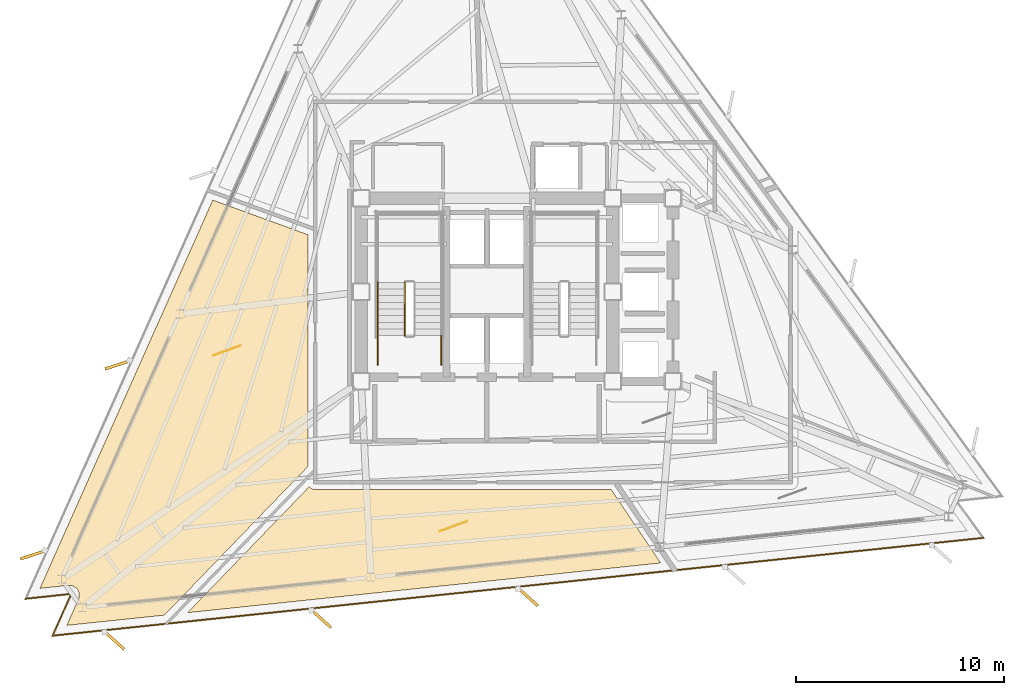
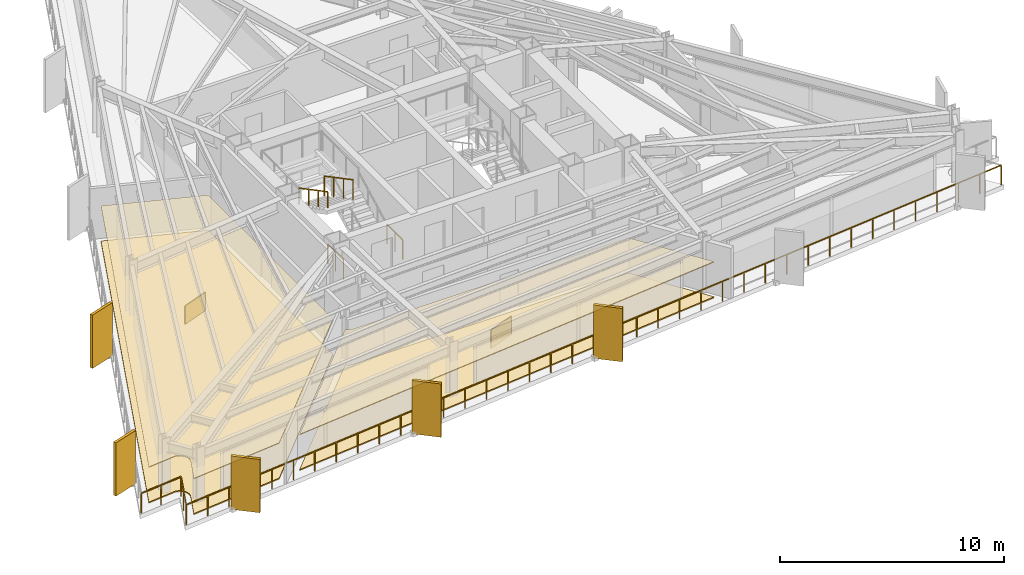
# One storey, part 10 of 13: 6 coverings, 5 railings, 5 shading devices.
"""IFC4 building model written with IfcOpenShell, lengths in metres."""

from ifc_helpers import new_model, si_unit, direction, frame, origin, origin_2d, place, context, subcontext, project, spatial, polyline, rectangle, outline, extrude, material, layer, layer_set, type_object, element, save


model = new_model("IFC4")

# Units and contexts
model_context = context("Model", 3, precision=1e-05, world=origin(), true_north=direction((0.0, 1.0)))
body_context = subcontext(model_context, "Body", "Model", "MODEL_VIEW")
ifc_project = project(units=[si_unit("LENGTHUNIT", "METRE"), si_unit("AREAUNIT", "SQUARE_METRE"), si_unit("VOLUMEUNIT", "CUBIC_METRE"), si_unit("PLANEANGLEUNIT", "RADIAN"), si_unit("MASSUNIT", "GRAM", prefix="KILO")], contexts=[model_context])

# Site, building, storey
site_placement = place(None, origin())
site = spatial("IfcSite", under=ifc_project, at=site_placement, CompositionType="ELEMENT")
building_placement = place(site_placement, origin())
building = spatial("IfcBuilding", under=site, at=building_placement, Name="Rocaltana Carrier Exchange", CompositionType="ELEMENT")
storey_placement = place(building_placement, frame((0.0, 0.0, 119.840087890625)))
storey = spatial("IfcBuildingStorey", under=building, at=storey_placement, Name="L37", CompositionType="ELEMENT", Elevation=119.840087890625)

# Coverings
ifc_material_1 = material(Name="Calcium Sulphate & Aluminium Pedestal", Category="aluminium")
ifc_layer_1 = layer(ifc_material_1, 0.06005859375)
ifc_layer_set_1 = layer_set([ifc_layer_1], Name="Calcium Sulphate & Aluminium Pedestal")
covering_type_1 = type_object("IfcCoveringType", Name="Anti-Static Raised Exchange Access Floor 60", PredefinedType="FLOORING", material=ifc_layer_set_1)
covering_1_placement = place(storey_placement, origin())
element("IfcCovering", 1, at=covering_1_placement, inside=storey, type_object=covering_type_1, Name="L37 Quiet Focus Lounge Finish Floor", PredefinedType="FLOORING", context=body_context, shape_type="SweptSolid", body=[
    extrude(outline(polyline([(-19.646240234375, -14.78759765625), (-19.640869140625, -14.774658203125), (-19.633544921875, -14.756103515625), (-19.625, -14.7294921875), (-19.61962890625, -14.71044921875), (-19.613525390625, -14.68310546875), (-19.610107421875, -14.66357421875), (-19.606689453125, -14.6357421875), (-19.60546875, -14.615966796875), (-19.60498046875, -14.587890625), (-19.60546875, -14.568115234375), (-19.607666015625, -14.540283203125), (-19.6103515625, -14.5205078125), (-19.615234375, -14.492919921875), (-19.619873046875, -14.4736328125), (-19.62744140625, -14.44677734375), (-19.6337890625, -14.427978515625), (-19.644287109375, -14.402099609375), (-19.652587890625, -14.3837890625), (-19.665283203125, -14.359130859375), (-19.675537109375, -14.341796875), (-19.690673828125, -14.318603515625), (-19.702392578125, -14.30224609375), (-19.719970703125, -14.280517578125), (-19.733154296875, -14.265625), (-19.752685546875, -14.245849609375), (-19.767578125, -14.232421875), (-19.7890625, -14.214599609375), (-19.804931640625, -14.20263671875), (-19.828125, -14.18701171875), (-19.84521484375, -14.176513671875), (-19.86962890625, -14.163330078125), (-19.8876953125, -14.15478515625), (-19.91357421875, -14.14404296875), (-19.932373046875, -14.137451171875), (-19.958984375, -14.12939453125), (-19.978271484375, -14.12451171875), (-20.005615234375, -14.119140625), (-20.025390625, -14.1162109375), (-20.05322265625, -14.113525390625), (-20.072998046875, -14.11279296875), (-20.10107421875, -14.11279296875), (-20.12109375, -14.114013671875), (-20.135009765625, -14.114990234375), (-21.49609375, -14.258056640625), (-13.182373046875, 4.414794921875), (-8.610107421875, 2.750732421875), (-8.610107421875, -8.397705078125), (-15.511962890625, -15.544921875), (-20.202880859375, -16.037841796875), (-19.646240234375, -14.78759765625)])), origin(), (0.0, 0.0, 1.0), 0.059814453125),
])
covering_2_placement = place(storey_placement, origin())
element("IfcCovering", 2, at=covering_2_placement, inside=storey, type_object=covering_type_1, Name="L37 Quiet Focus Lounge Finish Floor", PredefinedType="FLOORING", context=body_context, shape_type="SweptSolid", body=[
    extrude(outline(polyline([(-14.39794921875, -15.427734375), (-8.54052734375, -9.3623046875), (-8.53662109375, -9.367431640625), (-8.519287109375, -9.388916015625), (-8.513916015625, -9.39453125), (-8.49462890625, -9.4140625), (-8.48876953125, -9.419189453125), (-8.467529296875, -9.436767578125), (-8.461181640625, -9.44140625), (-8.4384765625, -9.456787109375), (-8.431640625, -9.460693359375), (-8.407470703125, -9.4736328125), (-8.400390625, -9.47705078125), (-8.375, -9.487548828125), (-8.36767578125, -9.490234375), (-8.34130859375, -9.498291015625), (-8.33349609375, -9.5), (-8.306640625, -9.50537109375), (-8.298828125, -9.506591796875), (-8.271484375, -9.50927734375), (-8.263671875, -9.509765625), (-8.25, -9.510009765625), (5.980224609375, -9.510009765625), (8.358642578125, -13.035888671875), (-14.39794921875, -15.427734375)])), origin(), (0.0, 0.0, 1.0), 0.059814453125),
])
ifc_material_2 = material(Name="Mineral Fibre & Powder-Coated Aluminium", Category="aluminium")
ifc_layer_2 = layer(ifc_material_2, 0.044921875)
ifc_layer_set_2 = layer_set([ifc_layer_2], Name="Mineral Fibre & Powder-Coated Aluminium")
covering_type_2 = type_object("IfcCoveringType", Name="Micro-Perforated Acoustic Ceiling 45", PredefinedType="CEILING", material=ifc_layer_set_2)
covering_3_placement = place(storey_placement, frame((0.0, 0.0, 1.932861328125)))
element("IfcCovering", 3, at=covering_3_placement, inside=storey, type_object=covering_type_2, Name="L37 Quiet Focus Lounge Acoustic Ceiling", PredefinedType="CEILING", context=body_context, shape_type="SweptSolid", body=[
    extrude(outline(polyline([(-19.646240234375, -14.78759765625), (-19.640869140625, -14.774658203125), (-19.633544921875, -14.756103515625), (-19.625, -14.7294921875), (-19.61962890625, -14.71044921875), (-19.613525390625, -14.68310546875), (-19.610107421875, -14.66357421875), (-19.606689453125, -14.6357421875), (-19.60546875, -14.615966796875), (-19.60498046875, -14.587890625), (-19.60546875, -14.568115234375), (-19.607666015625, -14.540283203125), (-19.6103515625, -14.5205078125), (-19.615234375, -14.492919921875), (-19.619873046875, -14.4736328125), (-19.62744140625, -14.44677734375), (-19.6337890625, -14.427978515625), (-19.644287109375, -14.402099609375), (-19.652587890625, -14.3837890625), (-19.665283203125, -14.359130859375), (-19.675537109375, -14.341796875), (-19.690673828125, -14.318603515625), (-19.702392578125, -14.30224609375), (-19.719970703125, -14.280517578125), (-19.733154296875, -14.265625), (-19.752685546875, -14.245849609375), (-19.767578125, -14.232421875), (-19.7890625, -14.214599609375), (-19.804931640625, -14.20263671875), (-19.828125, -14.18701171875), (-19.84521484375, -14.176513671875), (-19.86962890625, -14.163330078125), (-19.8876953125, -14.15478515625), (-19.91357421875, -14.14404296875), (-19.932373046875, -14.137451171875), (-19.958984375, -14.12939453125), (-19.978271484375, -14.12451171875), (-20.005615234375, -14.119140625), (-20.025390625, -14.1162109375), (-20.05322265625, -14.113525390625), (-20.072998046875, -14.11279296875), (-20.10107421875, -14.11279296875), (-20.12109375, -14.114013671875), (-20.135009765625, -14.114990234375), (-21.49609375, -14.258056640625), (-13.182373046875, 4.414794921875), (-8.610107421875, 2.750732421875), (-8.610107421875, -8.397705078125), (-15.511962890625, -15.544921875), (-20.202880859375, -16.037841796875), (-19.646240234375, -14.78759765625)])), origin(), (0.0, 0.0, 1.0), 0.045166015625),
])
covering_4_placement = place(storey_placement, frame((0.0, 0.0, 1.932861328125)))
element("IfcCovering", 4, at=covering_4_placement, inside=storey, type_object=covering_type_2, Name="L37 Quiet Focus Lounge Acoustic Ceiling", PredefinedType="CEILING", context=body_context, shape_type="SweptSolid", body=[
    extrude(outline(polyline([(-14.39794921875, -15.427734375), (-8.54052734375, -9.3623046875), (-8.53662109375, -9.367431640625), (-8.519287109375, -9.388916015625), (-8.513916015625, -9.39453125), (-8.49462890625, -9.4140625), (-8.48876953125, -9.419189453125), (-8.467529296875, -9.436767578125), (-8.461181640625, -9.44140625), (-8.4384765625, -9.456787109375), (-8.431640625, -9.460693359375), (-8.407470703125, -9.4736328125), (-8.400390625, -9.47705078125), (-8.375, -9.487548828125), (-8.36767578125, -9.490234375), (-8.34130859375, -9.498291015625), (-8.33349609375, -9.5), (-8.306640625, -9.50537109375), (-8.298828125, -9.506591796875), (-8.271484375, -9.50927734375), (-8.263671875, -9.509765625), (-8.25, -9.510009765625), (5.980224609375, -9.510009765625), (8.358642578125, -13.035888671875), (-14.39794921875, -15.427734375)])), origin(), (0.0, 0.0, 1.0), 0.045166015625),
])

# Railings
ifc_material_3 = material(Name="Brushed Architectural Stainless Tube", Category="steel")
ifc_layer_3 = layer(ifc_material_3, 0.048095703125)
ifc_layer_set_3 = layer_set([ifc_layer_3], Name="Brushed Architectural Stainless Tube")
railing_type_1 = type_object("IfcRailingType", Name="Stair Wall Handrail 920", PredefinedType="HANDRAIL", material=ifc_layer_set_3)
railing_1_placement = place(storey_placement, frame((-5.25, 0.4599609375, 1.688720703125)))
element("IfcRailing", 5, at=railing_1_placement, inside=storey, type_object=railing_type_1, Name="L37 ST-1 stair handrail 2", PredefinedType="HANDRAIL", context=body_context, shape_type="SweptSolid", body=[
    extrude(rectangle(XDim=0.048095703125, YDim=0.048095703125, at=origin_2d()), frame((0.0, 0.0, 0.8759765625), z_axis=(0.0, -0.884394423565, 0.466740295633), x_axis=(1.0, 0.0, 0.0)), (0.0, 0.0, 1.0), 2.894775390625),
    extrude(rectangle(XDim=0.0419921875, YDim=0.0419921875, at=origin_2d()), origin(), (0.0, 0.0, 1.0), 0.851806640625),
    extrude(rectangle(XDim=0.0419921875, YDim=0.0419921875, at=origin_2d()), frame((0.0, -0.853271484375, 0.450439453125)), (0.0, 0.0, 1.0), 0.851806640625),
    extrude(rectangle(XDim=0.0419921875, YDim=0.0419921875, at=origin_2d()), frame((0.0, -1.706787109375, 0.900634765625)), (0.0, 0.0, 1.0), 0.851806640625),
    extrude(rectangle(XDim=0.0419921875, YDim=0.0419921875, at=origin_2d()), frame((0.0, -2.56005859375, 1.35107421875)), (0.0, 0.0, 1.0), 0.851806640625),
])
ifc_material_4 = material(Name="Powder-Coated Aluminium 6063-T6", Category="aluminium")
ifc_layer_4 = layer(ifc_material_4, 0.048095703125)
ifc_layer_set_4 = layer_set([ifc_layer_4], Name="Powder-Coated Aluminium 6063-T6")
railing_type_2 = type_object("IfcRailingType", Name="Stair Well Guardrail 1100", PredefinedType="GUARDRAIL", material=ifc_layer_set_4)
railing_2_placement = place(storey_placement, frame((-3.949951171875, 0.4599609375, 1.688720703125)))
element("IfcRailing", 6, at=railing_2_placement, inside=storey, type_object=railing_type_2, Name="L37 ST-1 stair guard 6", PredefinedType="GUARDRAIL", context=body_context, shape_type="SweptSolid", body=[
    extrude(rectangle(XDim=0.048095703125, YDim=0.048095703125, at=origin_2d()), frame((0.0, 0.0, 1.076171875), z_axis=(0.0, -0.884394423565, 0.466740295633), x_axis=(1.0, 0.0, 0.0)), (0.0, 0.0, 1.0), 2.894775390625),
    extrude(rectangle(XDim=0.0419921875, YDim=0.0419921875, at=origin_2d()), origin(), (0.0, 0.0, 1.0), 1.052001953125),
    extrude(rectangle(XDim=0.0419921875, YDim=0.0419921875, at=origin_2d()), frame((0.0, -0.853271484375, 0.450439453125)), (0.0, 0.0, 1.0), 1.052001953125),
    extrude(rectangle(XDim=0.0419921875, YDim=0.0419921875, at=origin_2d()), frame((0.0, -1.706787109375, 0.900634765625)), (0.0, 0.0, 1.0), 1.052001953125),
    extrude(rectangle(XDim=0.0419921875, YDim=0.0419921875, at=origin_2d()), frame((0.0, -2.56005859375, 1.35107421875)), (0.0, 0.0, 1.0), 1.052001953125),
])
for number, where, name in (
    (7, (-2.18994140625, -3.5, 0.0), "L37 ST-1 stair guard 8"),
    (8, (-5.25, -3.5, 0.0), "L37 ST-1 stair guard 9"),
):
    element("IfcRailing", number, at=place(storey_placement, frame(where)), inside=storey, type_object=railing_type_2, Name=name, PredefinedType="GUARDRAIL", context=body_context, shape_type="SweptSolid", body=[
        extrude(rectangle(XDim=0.048095703125, YDim=0.048095703125, at=origin_2d()), frame((0.0, 0.0, 1.076171875), z_axis=(0.0, 1.0, 0.0), x_axis=(-1.0, 0.0, 0.0)), (0.0, 0.0, 1.0), 1.39990234375),
        extrude(rectangle(XDim=0.0419921875, YDim=0.0419921875, at=origin_2d()), origin(), (0.0, 0.0, 1.0), 1.052001953125),
        extrude(rectangle(XDim=0.0419921875, YDim=0.0419921875, at=origin_2d()), frame((0.0, 0.699951171875, 0.0)), (0.0, 0.0, 1.0), 1.052001953125),
        extrude(rectangle(XDim=0.0419921875, YDim=0.0419921875, at=origin_2d()), frame((0.0, 1.39990234375, 0.0)), (0.0, 0.0, 1.0), 1.052001953125),
    ])

# Coverings
ifc_material_5 = material(Name="Honed Piedra Muneca Sandstone", Category="masonry")
ifc_layer_5 = layer(ifc_material_5, 0.034912109375)
ifc_layer_set_5 = layer_set([ifc_layer_5], Name="Honed Piedra Muneca Sandstone")
covering_type_3 = type_object("IfcCoveringType", Name="Stone Facade Cladding 35", PredefinedType="CLADDING", material=ifc_layer_set_5)
for number, where, z_axis, x_axis, name in (
    (9, (-12.507568359375, -2.823486328125, 0.0), (0.0, 0.0, 1.0), (0.939692620786, 0.342020143326, 0.0), "L37 Stone Facade Cladding Panel 1"),
    (10, (-1.608154296875, -11.27294921875, 0.0), (0.0, 0.0, 1.0), (0.939692620786, 0.342020143326, 0.0), "L37 Stone Facade Cladding Panel 2"),
):
    element("IfcCovering", number, at=place(storey_placement, frame(where, z_axis=z_axis, x_axis=x_axis)), inside=storey, type_object=covering_type_3, Name=name, PredefinedType="CLADDING", context=body_context, shape_type="SweptSolid", body=[
        extrude(rectangle(XDim=1.39990234375, YDim=0.034912109375, at=origin_2d()), origin(), (0.0, 0.0, 1.0), 1.050048828125),
    ])

# Shading devices
ifc_material_6 = material(Name="Honed Bogota Sandstone & Concrete C45/55", Category="masonry")
ifc_layer_6 = layer(ifc_material_6, 0.139892578125)
ifc_layer_set_6 = layer_set([ifc_layer_6], Name="Honed Bogota Sandstone & Concrete C45/55")
shading_device_type = type_object("IfcShadingDeviceType", Name="Vertical Sandstone Shading Fin 1320x140", PredefinedType="USERDEFINED", material=ifc_layer_set_6)
for number, where, z_axis, x_axis, name in (
    (11, (-17.7373046875, -3.50341796875, -0.1201171875), (0.0, 0.0, 1.0), (-0.951056516295, -0.309016994375, 0.0), "L37 Sandstone Vertical Fin F2-04"),
    (12, (-21.8046875, -12.638671875, -0.1201171875), (0.0, 0.0, 1.0), (-0.951056516295, -0.309016994375, 0.0), "L37 Sandstone Vertical Fin F2-05"),
    (13, (-17.93310546875, -16.745361328125, -0.1201171875), (0.0, 0.0, 1.0), (0.743144825477, -0.669130606359, 0.0), "L37 Sandstone Vertical Fin F3-01"),
    (14, (-7.98779296875, -15.699951171875, -0.1201171875), (0.0, 0.0, 1.0), (0.743144825477, -0.669130606359, 0.0), "L37 Sandstone Vertical Fin F3-02"),
    (15, (1.95751953125, -14.65478515625, -0.1201171875), (0.0, 0.0, 1.0), (0.743144825477, -0.669130606359, 0.0), "L37 Sandstone Vertical Fin F3-03"),
):
    element("IfcShadingDevice", number, at=place(storey_placement, frame(where, z_axis=z_axis, x_axis=x_axis)), inside=storey, type_object=shading_device_type, Name=name, ObjectType="FIN", PredefinedType="USERDEFINED", context=body_context, shape_type="SweptSolid", body=[
        extrude(rectangle(XDim=1.320068359375, YDim=0.139892578125, at=origin_2d()), origin(), (0.0, 0.0, 1.0), 2.907958984375),
    ])

# Railing
ifc_material_7 = material(Name="Powder-Coated Aluminium 6063-T6", Category="aluminium")
ifc_layer_7 = layer(ifc_material_7, 0.06005859375)
ifc_layer_set_7 = layer_set([ifc_layer_7], Name="Powder-Coated Aluminium 6063-T6")
railing_type_3 = type_object("IfcRailingType", Name="Wind-Floor & Terrace Perimeter Guardrail 1100", PredefinedType="GUARDRAIL", material=ifc_layer_set_7)
railing_3_placement = place(storey_placement, frame((23.86328125, -11.82861328125, 0.0)))
element("IfcRailing", 16, at=railing_3_placement, inside=storey, type_object=railing_type_3, Name="L37 Perimeter Balcony Guardrail 1", PredefinedType="GUARDRAIL", context=body_context, shape_type="SweptSolid", body=[
    extrude(rectangle(XDim=0.048095703125, YDim=0.048095703125, at=origin_2d()), frame((0.0, 0.0, 1.076171875), z_axis=(-0.994521497127, -0.104532252211, 0.0), x_axis=(0.104532252211, -0.994521497127, 0.0)), (0.0, 0.0, 1.0), 44.9921875),
    extrude(rectangle(XDim=0.048095703125, YDim=0.048095703125, at=origin_2d()), frame((-44.74560546875, -4.703125, 1.076171875), z_axis=(0.406725294076, 0.913550510459, 0.0), x_axis=(-0.913550510459, 0.406725294076, 0.0)), (0.0, 0.0, 1.0), 2.199951171875),
    extrude(rectangle(XDim=0.048095703125, YDim=0.048095703125, at=origin_2d()), frame((-43.850830078125, -2.693359375, 1.076171875), z_axis=(-0.994521251134, -0.104534592565, 0.0), x_axis=(0.104534592565, -0.994521251134, 0.0)), (0.0, 0.0, 1.0), 2.199951171875),
    extrude(rectangle(XDim=0.0419921875, YDim=0.0419921875, at=origin_2d()), origin(), (0.0, 0.0, 1.0), 1.052001953125),
    extrude(rectangle(XDim=0.0419921875, YDim=0.0419921875, at=origin_2d()), frame((-1.177490234375, -0.123779296875, 0.0)), (0.0, 0.0, 1.0), 1.052001953125),
    extrude(rectangle(XDim=0.0419921875, YDim=0.0419921875, at=origin_2d()), frame((-2.35498046875, -0.24755859375, 0.0)), (0.0, 0.0, 1.0), 1.052001953125),
    extrude(rectangle(XDim=0.0419921875, YDim=0.0419921875, at=origin_2d()), frame((-3.532470703125, -0.371337890625, 0.0)), (0.0, 0.0, 1.0), 1.052001953125),
    extrude(rectangle(XDim=0.0419921875, YDim=0.0419921875, at=origin_2d()), frame((-4.7099609375, -0.4951171875, 0.0)), (0.0, 0.0, 1.0), 1.052001953125),
    extrude(rectangle(XDim=0.0419921875, YDim=0.0419921875, at=origin_2d()), frame((-5.8876953125, -0.618896484375, 0.0)), (0.0, 0.0, 1.0), 1.052001953125),
    extrude(rectangle(XDim=0.0419921875, YDim=0.0419921875, at=origin_2d()), frame((-7.065185546875, -0.74267578125, 0.0)), (0.0, 0.0, 1.0), 1.052001953125),
    extrude(rectangle(XDim=0.0419921875, YDim=0.0419921875, at=origin_2d()), frame((-8.24267578125, -0.866455078125, 0.0)), (0.0, 0.0, 1.0), 1.052001953125),
    extrude(rectangle(XDim=0.0419921875, YDim=0.0419921875, at=origin_2d()), frame((-9.420166015625, -0.990234375, 0.0)), (0.0, 0.0, 1.0), 1.052001953125),
    extrude(rectangle(XDim=0.0419921875, YDim=0.0419921875, at=origin_2d()), frame((-10.59765625, -1.114013671875, 0.0)), (0.0, 0.0, 1.0), 1.052001953125),
    extrude(rectangle(XDim=0.0419921875, YDim=0.0419921875, at=origin_2d()), frame((-11.775146484375, -1.237548828125, 0.0)), (0.0, 0.0, 1.0), 1.052001953125),
    extrude(rectangle(XDim=0.0419921875, YDim=0.0419921875, at=origin_2d()), frame((-12.95263671875, -1.361328125, 0.0)), (0.0, 0.0, 1.0), 1.052001953125),
    extrude(rectangle(XDim=0.0419921875, YDim=0.0419921875, at=origin_2d()), frame((-14.130126953125, -1.485107421875, 0.0)), (0.0, 0.0, 1.0), 1.052001953125),
    extrude(rectangle(XDim=0.0419921875, YDim=0.0419921875, at=origin_2d()), frame((-15.3076171875, -1.60888671875, 0.0)), (0.0, 0.0, 1.0), 1.052001953125),
    extrude(rectangle(XDim=0.0419921875, YDim=0.0419921875, at=origin_2d()), frame((-16.485107421875, -1.732666015625, 0.0)), (0.0, 0.0, 1.0), 1.052001953125),
    extrude(rectangle(XDim=0.0419921875, YDim=0.0419921875, at=origin_2d()), frame((-17.662841796875, -1.8564453125, 0.0)), (0.0, 0.0, 1.0), 1.052001953125),
    extrude(rectangle(XDim=0.0419921875, YDim=0.0419921875, at=origin_2d()), frame((-18.84033203125, -1.980224609375, 0.0)), (0.0, 0.0, 1.0), 1.052001953125),
    extrude(rectangle(XDim=0.0419921875, YDim=0.0419921875, at=origin_2d()), frame((-20.017822265625, -2.10400390625, 0.0)), (0.0, 0.0, 1.0), 1.052001953125),
    extrude(rectangle(XDim=0.0419921875, YDim=0.0419921875, at=origin_2d()), frame((-21.1953125, -2.227783203125, 0.0)), (0.0, 0.0, 1.0), 1.052001953125),
    extrude(rectangle(XDim=0.0419921875, YDim=0.0419921875, at=origin_2d()), frame((-22.372802734375, -2.3515625, 0.0)), (0.0, 0.0, 1.0), 1.052001953125),
    extrude(rectangle(XDim=0.0419921875, YDim=0.0419921875, at=origin_2d()), frame((-23.55029296875, -2.475341796875, 0.0)), (0.0, 0.0, 1.0), 1.052001953125),
    extrude(rectangle(XDim=0.0419921875, YDim=0.0419921875, at=origin_2d()), frame((-24.727783203125, -2.59912109375, 0.0)), (0.0, 0.0, 1.0), 1.052001953125),
    extrude(rectangle(XDim=0.0419921875, YDim=0.0419921875, at=origin_2d()), frame((-25.9052734375, -2.722900390625, 0.0)), (0.0, 0.0, 1.0), 1.052001953125),
    extrude(rectangle(XDim=0.0419921875, YDim=0.0419921875, at=origin_2d()), frame((-27.082763671875, -2.8466796875, 0.0)), (0.0, 0.0, 1.0), 1.052001953125),
    extrude(rectangle(XDim=0.0419921875, YDim=0.0419921875, at=origin_2d()), frame((-28.260498046875, -2.970458984375, 0.0)), (0.0, 0.0, 1.0), 1.052001953125),
    extrude(rectangle(XDim=0.0419921875, YDim=0.0419921875, at=origin_2d()), frame((-29.43798828125, -3.09423828125, 0.0)), (0.0, 0.0, 1.0), 1.052001953125),
    extrude(rectangle(XDim=0.0419921875, YDim=0.0419921875, at=origin_2d()), frame((-30.615478515625, -3.218017578125, 0.0)), (0.0, 0.0, 1.0), 1.052001953125),
    extrude(rectangle(XDim=0.0419921875, YDim=0.0419921875, at=origin_2d()), frame((-31.79296875, -3.341796875, 0.0)), (0.0, 0.0, 1.0), 1.052001953125),
    extrude(rectangle(XDim=0.0419921875, YDim=0.0419921875, at=origin_2d()), frame((-32.970458984375, -3.465576171875, 0.0)), (0.0, 0.0, 1.0), 1.052001953125),
    extrude(rectangle(XDim=0.0419921875, YDim=0.0419921875, at=origin_2d()), frame((-34.14794921875, -3.589111328125, 0.0)), (0.0, 0.0, 1.0), 1.052001953125),
    extrude(rectangle(XDim=0.0419921875, YDim=0.0419921875, at=origin_2d()), frame((-35.325439453125, -3.712890625, 0.0)), (0.0, 0.0, 1.0), 1.052001953125),
    extrude(rectangle(XDim=0.0419921875, YDim=0.0419921875, at=origin_2d()), frame((-36.5029296875, -3.836669921875, 0.0)), (0.0, 0.0, 1.0), 1.052001953125),
    extrude(rectangle(XDim=0.0419921875, YDim=0.0419921875, at=origin_2d()), frame((-37.680419921875, -3.96044921875, 0.0)), (0.0, 0.0, 1.0), 1.052001953125),
    extrude(rectangle(XDim=0.0419921875, YDim=0.0419921875, at=origin_2d()), frame((-38.85791015625, -4.084228515625, 0.0)), (0.0, 0.0, 1.0), 1.052001953125),
    extrude(rectangle(XDim=0.0419921875, YDim=0.0419921875, at=origin_2d()), frame((-40.03564453125, -4.2080078125, 0.0)), (0.0, 0.0, 1.0), 1.052001953125),
    extrude(rectangle(XDim=0.0419921875, YDim=0.0419921875, at=origin_2d()), frame((-41.213134765625, -4.331787109375, 0.0)), (0.0, 0.0, 1.0), 1.052001953125),
    extrude(rectangle(XDim=0.0419921875, YDim=0.0419921875, at=origin_2d()), frame((-42.390625, -4.45556640625, 0.0)), (0.0, 0.0, 1.0), 1.052001953125),
    extrude(rectangle(XDim=0.0419921875, YDim=0.0419921875, at=origin_2d()), frame((-43.568115234375, -4.579345703125, 0.0)), (0.0, 0.0, 1.0), 1.052001953125),
    extrude(rectangle(XDim=0.0419921875, YDim=0.0419921875, at=origin_2d()), frame((-44.74560546875, -4.703125, 0.0)), (0.0, 0.0, 1.0), 1.052001953125),
    extrude(rectangle(XDim=0.0419921875, YDim=0.0419921875, at=origin_2d()), frame((-44.29833984375, -3.6982421875, 0.0)), (0.0, 0.0, 1.0), 1.052001953125),
    extrude(rectangle(XDim=0.0419921875, YDim=0.0419921875, at=origin_2d()), frame((-43.850830078125, -2.693359375, 0.0)), (0.0, 0.0, 1.0), 1.052001953125),
    extrude(rectangle(XDim=0.0419921875, YDim=0.0419921875, at=origin_2d()), frame((-44.94482421875, -2.808349609375, 0.0)), (0.0, 0.0, 1.0), 1.052001953125),
    extrude(rectangle(XDim=0.0419921875, YDim=0.0419921875, at=origin_2d()), frame((-46.038818359375, -2.92333984375, 0.0)), (0.0, 0.0, 1.0), 1.052001953125),
])

save(model, "model.ifc")
